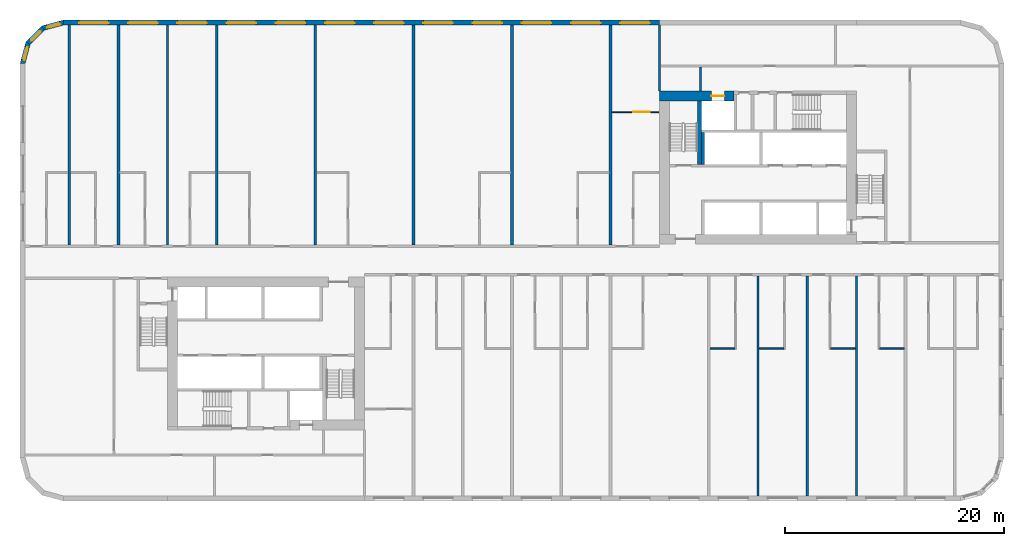
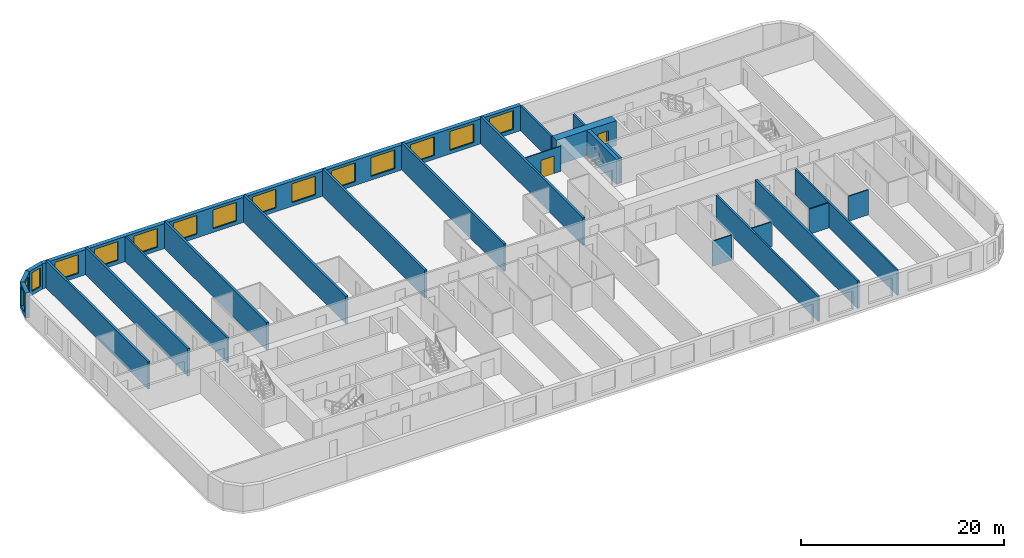
# One storey, part 6 of 12: 25 walls, 15 windows, 2 doors, 17 openings.
"""IFC4 building model written with IfcOpenShell, lengths in metres."""

import ifcopenshell
import ifcopenshell.guid

model = None  # the IFC model being written
_history = None  # IfcOwnerHistory: only IFC2X3 demands one
_inside = {}  # id of a spatial element -> (the spatial element, [elements in it])
_under = {}  # id of a project, library or spatial element -> (it, [spatial elements below it])
_declared = {}  # id of a project -> (the project, [libraries it declares])
_typed = {}  # id of a type object -> (the type object, [elements of that type])
_made_of = {}  # id of a material, layer set ... -> (it, [elements and type objects made of it])


def new_model(schema):
    """Start an empty IFC model of exactly this schema.

    Asked for "IFC4X3", IfcOpenShell would pick the latest addendum, in which some entities
    have other attributes; the version numbers below select the first issue.
    IFC2X3 requires an IfcOwnerHistory on every rooted entity: one is made here for all.
    """
    global model, _history
    if schema == "IFC4X3":
        model = ifcopenshell.file(schema_version=(4, 3, 0, 0))
    else:
        model = ifcopenshell.file(schema=schema)
    _inside.clear()
    _under.clear()
    _declared.clear()
    _typed.clear()
    _made_of.clear()
    _history = None
    if model.schema == "IFC2X3":
        org = make("IfcOrganization", Name="unknown")
        user = make(
            "IfcPersonAndOrganization",
            ThePerson=make("IfcPerson", FamilyName="unknown"),
            TheOrganization=org,
        )
        app = make(
            "IfcApplication",
            ApplicationDeveloper=org,
            Version="unknown",
            ApplicationFullName="unknown",
            ApplicationIdentifier="unknown",
        )
        _history = make(
            "IfcOwnerHistory",
            OwningUser=user,
            OwningApplication=app,
            ChangeAction="ADDED",
            CreationDate=0,
        )
    return model


def make(cls, **values):
    """One entity of the class cls with the attributes given. An attribute that is None is left unset."""
    return model.create_entity(
        cls, **{name: value for name, value in values.items() if value is not None}
    )


def rooted(cls, **values):
    """An entity with a GlobalId (a new one), such as an element, a storey or a relation."""
    return make(cls, GlobalId=ifcopenshell.guid.new(), OwnerHistory=_history, **values)


def si_unit(unit_type, name, prefix=None):
    """IfcSIUnit, for example si_unit("LENGTHUNIT", "METRE", prefix="MILLI")."""
    return make("IfcSIUnit", UnitType=unit_type, Prefix=prefix, Name=name)


def assignment(units):
    """IfcUnitAssignment: the units of a project."""
    return None if units is None else make("IfcUnitAssignment", Units=units)


def point(xyz):
    """IfcCartesianPoint."""
    return None if xyz is None else make("IfcCartesianPoint", Coordinates=xyz)


def direction(xyz):
    """IfcDirection."""
    return None if xyz is None else make("IfcDirection", DirectionRatios=xyz)


def frame(location, z_axis=None, x_axis=None):
    """IfcAxis2Placement3D, a coordinate frame: its origin and axes. An axis left out is left unset."""
    return make(
        "IfcAxis2Placement3D",
        Location=point(location),
        Axis=direction(z_axis),
        RefDirection=direction(x_axis),
    )


def frame_2d(location, x_axis=None):
    """IfcAxis2Placement2D, a coordinate frame in the plane: its origin and x axis."""
    return make(
        "IfcAxis2Placement2D", Location=point(location), RefDirection=direction(x_axis)
    )


def origin():
    """The frame at (0, 0, 0) with its axes left unset."""
    return frame((0.0, 0.0, 0.0))


def place(relative_to, where):
    """IfcLocalPlacement: puts the frame where relative to a parent placement (None: the world)."""
    return make(
        "IfcLocalPlacement", PlacementRelTo=relative_to, RelativePlacement=where
    )


def context(
    kind, dimensions, precision=None, world=None, true_north=None, identifier=None
):
    """IfcGeometricRepresentationContext, for example the 3D "Model" context."""
    return make(
        "IfcGeometricRepresentationContext",
        ContextIdentifier=identifier,
        ContextType=kind,
        CoordinateSpaceDimension=dimensions,
        Precision=precision,
        WorldCoordinateSystem=world,
        TrueNorth=true_north,
    )


def subcontext(parent, identifier, kind, view, scale=None):
    """IfcGeometricRepresentationSubContext, for example "Body" below "Model"."""
    return make(
        "IfcGeometricRepresentationSubContext",
        ContextIdentifier=identifier,
        ContextType=kind,
        ParentContext=parent,
        TargetScale=scale,
        TargetView=view,
    )


def project(units=None, contexts=None):
    """IfcProject with its units and contexts."""
    return rooted(
        "IfcProject",
        Name="project",
        RepresentationContexts=contexts,
        UnitsInContext=assignment(units),
    )


def spatial(cls, under=None, at=None, **own):
    """A site, building, storey or space (cls), placed at a placement, below another one or the project."""
    s = rooted(cls, ObjectPlacement=at, **own)
    if under is not None:
        _under.setdefault(under.id(), (under, []))[1].append(s)
    return s


def polyline(points):
    """IfcPolyline through the points."""
    return make("IfcPolyline", Points=[point(p) for p in points])


def profile(cls, at=None, kind="AREA", **sizes):
    """A parametric profile (cls). Its sizes go by their IFC names, for example OverallWidth=200.0."""
    return make(cls, ProfileType=kind, Position=at, **sizes)


def rectangle(**sizes):
    """IfcRectangleProfileDef."""
    return profile("IfcRectangleProfileDef", **sizes)


def outline(outer, holes=None, kind="AREA"):
    """IfcArbitraryClosedProfileDef: a profile drawn as a closed curve; with holes, ...WithVoids."""
    if holes is None:
        return make("IfcArbitraryClosedProfileDef", ProfileType=kind, OuterCurve=outer)
    return make(
        "IfcArbitraryProfileDefWithVoids",
        ProfileType=kind,
        OuterCurve=outer,
        InnerCurves=holes,
    )


def extrude(swept, where, along, depth):
    """IfcExtrudedAreaSolid: the profile swept, set in the frame where, extruded along a direction by depth."""
    return make(
        "IfcExtrudedAreaSolid",
        SweptArea=swept,
        Position=where,
        ExtrudedDirection=direction(along),
        Depth=depth,
    )


def shape(context_of_items, identifier, shape_type, items):
    """IfcShapeRepresentation: the items that make up one representation, for example the "Body"."""
    return make(
        "IfcShapeRepresentation",
        ContextOfItems=context_of_items,
        RepresentationIdentifier=identifier,
        RepresentationType=shape_type,
        Items=items,
    )


def material(Name=None, Category=None):
    """IfcMaterial."""
    return make("IfcMaterial", Name=Name, Category=Category)


def layer(
    of_material, thickness, ventilated=None, Name=None, Category=None, Priority=None
):
    """IfcMaterialLayer: one layer of a wall or slab, of a material (None: an air gap)."""
    return make(
        "IfcMaterialLayer",
        Material=of_material,
        LayerThickness=thickness,
        IsVentilated=ventilated,
        Name=Name,
        Category=Category,
        Priority=Priority,
    )


def layer_set(layers, Name=None):
    """IfcMaterialLayerSet."""
    return make("IfcMaterialLayerSet", MaterialLayers=layers, LayerSetName=Name)


def made_of(thing, what):
    """Note that an element or type object is made of a material, layer set ...; save() writes the relation."""
    if what is not None:
        _made_of.setdefault(what.id(), (what, []))[1].append(thing)
    return thing


def type_object(cls, material=None, **own):
    """A type object (cls), such as IfcWallType, which elements share."""
    return made_of(rooted(cls, **own), material)


def element(
    cls,
    number,
    at=None,
    inside=None,
    cuts=None,
    type_object=None,
    material=None,
    context=None,
    identifier="Body",
    shape_type=None,
    held_by="IfcProductDefinitionShape",
    body=None,
    shapes=None,
    **own,
):
    """One element of the class cls, such as IfcWall. Its Tag is "e" and its number.

    at: its placement. inside: the storey or other place that contains it. cuts: it is an
    opening in that element (IfcRelVoidsElement). A single representation is given by context,
    identifier, shape_type and body (its items); several are given by shapes. held_by: the class
    of the entity that holds the representations. save() writes the other relations.
    """
    e = rooted(cls, Tag="e%d" % number, ObjectPlacement=at, **own)
    if body is not None:
        shapes = [shape(context, identifier, shape_type, body)]
    if shapes is not None:
        e.Representation = make(held_by, Representations=shapes)
    if inside is not None:
        _inside.setdefault(inside.id(), (inside, []))[1].append(e)
    if cuts is not None:
        rooted(
            "IfcRelVoidsElement", RelatingBuildingElement=cuts, RelatedOpeningElement=e
        )
    if type_object is not None:
        _typed.setdefault(type_object.id(), (type_object, []))[1].append(e)
    return made_of(e, material)


def fill(opening, filler):
    """IfcRelFillsElement: the door or window that sits in an opening."""
    return rooted(
        "IfcRelFillsElement",
        RelatingOpeningElement=opening,
        RelatedBuildingElement=filler,
    )


def aggregate(whole, parts):
    """IfcRelAggregates: a whole, such as a stair, and the parts it consists of."""
    return rooted("IfcRelAggregates", RelatingObject=whole, RelatedObjects=parts)


def save(model, path):
    """Write the relations noted so far, then the file.

    IfcRelAggregates (storeys below a building ...), IfcRelContainedInSpatialStructure (elements
    in a storey), IfcRelDefinesByType, IfcRelAssociatesMaterial and IfcRelDeclares: one each for
    every whole, place, type object, material and project.
    """
    for whole, parts in _under.values():
        aggregate(whole, parts)
    for where, things in _inside.values():
        rooted(
            "IfcRelContainedInSpatialStructure",
            RelatedElements=things,
            RelatingStructure=where,
        )
    for kind, things in _typed.values():
        rooted("IfcRelDefinesByType", RelatedObjects=things, RelatingType=kind)
    for what, things in _made_of.values():
        rooted("IfcRelAssociatesMaterial", RelatedObjects=things, RelatingMaterial=what)
    for by, libraries in _declared.values():
        rooted("IfcRelDeclares", RelatingContext=by, RelatedDefinitions=libraries)
    model.write(path)


model = new_model("IFC4")

# Units and contexts
model_context = context("Model", 3, precision=1e-05, world=origin(), true_north=direction((0.0, 1.0)))
body_context = subcontext(model_context, "Body", "Model", "MODEL_VIEW")
ifc_project = project(units=[si_unit("LENGTHUNIT", "METRE"), si_unit("AREAUNIT", "SQUARE_METRE"), si_unit("VOLUMEUNIT", "CUBIC_METRE"), si_unit("PLANEANGLEUNIT", "RADIAN"), si_unit("MASSUNIT", "GRAM", prefix="KILO")], contexts=[model_context])

# Site, building, storey
site_placement = place(None, origin())
site = spatial("IfcSite", under=ifc_project, at=site_placement, CompositionType="ELEMENT")
building_placement = place(site_placement, origin())
building = spatial("IfcBuilding", under=site, at=building_placement, Name="Kajstack Hotel Tower", CompositionType="ELEMENT")
storey_placement = place(building_placement, frame((0.0, 0.0, 86.39990234375)))
storey = spatial("IfcBuildingStorey", under=building, at=storey_placement, Name="L17", CompositionType="ELEMENT", Elevation=86.39990234375)

# Wall, opening, door
ifc_material_1 = material(Name="Concrete C60/75", Category="concrete")
ifc_layer_1 = layer(ifc_material_1, 0.89990234375)
ifc_layer_set_1 = layer_set([ifc_layer_1], Name="Core wall 900")
wall_type_1 = type_object("IfcWallType", Name="Core wall 900", PredefinedType="SHEAR", material=ifc_layer_set_1)
wall_1_placement = place(storey_placement, frame((13.5, 15.050048828125, 0.0), z_axis=(0.0, 0.0, 1.0), x_axis=(1.0, 0.0, 0.0)))
wall_1 = element("IfcWall", 1, at=wall_1_placement, inside=storey, type_object=wall_type_1, Name="Core wall E RS", PredefinedType="SHEAR", context=body_context, shape_type="SweptSolid", body=[
    extrude(rectangle(XDim=6.800048828125, YDim=0.89990234375, at=frame_2d((3.39990234375, 0.0))), origin(), (0.0, 0.0, 1.0), 3.02001953125),
])
opening_1_placement = place(wall_1_placement, frame((4.72509765625, 0.0, 0.0)))
opening_1 = element("IfcOpeningElement", 2, at=opening_1_placement, cuts=wall_1, Name="Opening LD-SV2", PredefinedType="OPENING", context=body_context, shape_type="SweptSolid", body=[
    extrude(rectangle(XDim=1.199951171875, YDim=2.10009765625, at=frame_2d((0.60009765625, 1.050048828125))), frame((0.0, 0.4599609375, 0.0), z_axis=(0.0, -1.0, 0.0), x_axis=(1.0, 0.0, 0.0)), (0.0, 0.0, 1.0), 0.919921875),
])
ifc_material_2 = material(Name="Stainless steel", Category="steel")
door_type_1 = type_object("IfcDoorType", Name="Lift landing door 1200", OperationType="SLIDING_TO_LEFT", PredefinedType="DOOR", material=ifc_material_2)
door_1_placement = place(opening_1_placement, origin())
door_1 = element("IfcDoor", 3, at=door_1_placement, inside=storey, type_object=door_type_1, Name="Landing door SV2", OperationType="SLIDING_TO_LEFT", OverallHeight=2.10009765625, OverallWidth=1.199951171875, PredefinedType="DOOR", context=body_context, shape_type="SweptSolid", body=[
    extrude(rectangle(XDim=1.199951171875, YDim=2.10009765625, at=frame_2d((0.60009765625, 1.050048828125))), frame((0.0, 0.02490234375, 0.0), z_axis=(0.0, -1.0, 0.0), x_axis=(1.0, 0.0, 0.0)), (0.0, 0.0, 1.0), 0.050048828125),
])
fill(opening_1, door_1)

# Walls
ifc_material_3 = material(Name="Twin-frame gypsum board on steel studs, mineral wool", Category="steel")
ifc_layer_2 = layer(ifc_material_3, 0.199951171875)
ifc_layer_set_2 = layer_set([ifc_layer_2], Name="Demising wall 200")
wall_type_2 = type_object("IfcWallType", Name="Demising wall 200", PredefinedType="PARTITIONING", material=ifc_layer_set_2)
wall_2_placement = place(storey_placement, frame((13.5, 15.5, 0.0), z_axis=(0.0, 0.0, 1.0), x_axis=(0.0, 1.0, 0.0)))
element("IfcWall", 4, at=wall_2_placement, inside=storey, type_object=wall_type_2, Name="G-wall-L17-001", PredefinedType="PARTITIONING", context=body_context, shape_type="SweptSolid", body=[
    extrude(rectangle(XDim=6.050048828125, YDim=0.199951171875, at=frame_2d((3.02490234375, 0.0))), origin(), (0.0, 0.0, 1.0), 3.02001953125),
])
for number, where, z_axis, x_axis, name in (
    (5, (-31.5, 1.39990234375, 0.0), (0.0, 0.0, 1.0), (0.0, 1.0, 0.0), "G-wall-L17-008"),
    (6, (22.5, -21.550048828125, 0.0), (0.0, 0.0, 1.0), (0.0, 1.0, 0.0), "G-wall-L17-040"),
    (7, (31.5, -21.550048828125, 0.0), (0.0, 0.0, 1.0), (0.0, 1.0, 0.0), "G-wall-L17-045"),
):
    element("IfcWall", number, at=place(storey_placement, frame(where, z_axis=z_axis, x_axis=x_axis)), inside=storey, type_object=wall_type_2, Name=name, PredefinedType="PARTITIONING", context=body_context, shape_type="SweptSolid", body=[
        extrude(rectangle(XDim=20.150146484375, YDim=0.199951171875, at=frame_2d((10.0751953125, 0.0))), origin(), (0.0, 0.0, 1.0), 3.02001953125),
    ])

# Wall, openings, windows
ifc_material_4 = material(Name="Terracotta-faced brick masonry", Category="masonry")
ifc_layer_3 = layer(ifc_material_4, 0.449951171875)
ifc_layer_set_3 = layer_set([ifc_layer_3], Name="EW-TERRA")
wall_type_3 = type_object("IfcWallType", Name="EW-TERRA", PredefinedType="SOLIDWALL", material=ifc_layer_set_3)
wall_3_placement = place(storey_placement, frame((13.5, 21.77490234375, 0.0), z_axis=(0.0, 0.0, 1.0), x_axis=(-1.0, 0.0, 0.0)))
wall_3 = element("IfcWall", 8, at=wall_3_placement, inside=storey, type_object=wall_type_3, Name="E-wall-L17-11-02", PredefinedType="SOLIDWALL", context=body_context, shape_type="SweptSolid", body=[
    extrude(rectangle(XDim=54.5, YDim=0.449951171875, at=frame_2d((27.25, 0.0))), origin(), (0.0, 0.0, 1.0), 3.02001953125),
])
opening_2_placement = place(wall_3_placement, frame((0.89990234375, 0.0, 0.449951171875)))
opening_2 = element("IfcOpeningElement", 9, at=opening_2_placement, cuts=wall_3, Name="Opening W1", PredefinedType="OPENING", context=body_context, shape_type="SweptSolid", body=[
    extrude(rectangle(XDim=2.699951171875, YDim=2.25, at=frame_2d((1.35009765625, 1.125))), frame((0.0, 0.23486328125, 0.0), z_axis=(0.0, -1.0, 0.0), x_axis=(1.0, 0.0, 0.0)), (0.0, 0.0, 1.0), 0.469970703125),
])
opening_3_placement = place(wall_3_placement, frame((5.39990234375, 0.0, 0.449951171875)))
opening_3 = element("IfcOpeningElement", 10, at=opening_3_placement, cuts=wall_3, Name="Opening W1", PredefinedType="OPENING", context=body_context, shape_type="SweptSolid", body=[
    extrude(rectangle(XDim=2.699951171875, YDim=2.25, at=frame_2d((1.35009765625, 1.125))), frame((0.0, 0.23486328125, 0.0), z_axis=(0.0, -1.0, 0.0), x_axis=(1.0, 0.0, 0.0)), (0.0, 0.0, 1.0), 0.469970703125),
])
opening_4_placement = place(wall_3_placement, frame((9.89990234375, 0.0, 0.449951171875)))
opening_4 = element("IfcOpeningElement", 11, at=opening_4_placement, cuts=wall_3, Name="Opening W1", PredefinedType="OPENING", context=body_context, shape_type="SweptSolid", body=[
    extrude(rectangle(XDim=2.699951171875, YDim=2.25, at=frame_2d((1.35009765625, 1.125))), frame((0.0, 0.23486328125, 0.0), z_axis=(0.0, -1.0, 0.0), x_axis=(1.0, 0.0, 0.0)), (0.0, 0.0, 1.0), 0.469970703125),
])
opening_5_placement = place(wall_3_placement, frame((14.39990234375, 0.0, 0.449951171875)))
opening_5 = element("IfcOpeningElement", 12, at=opening_5_placement, cuts=wall_3, Name="Opening W1", PredefinedType="OPENING", context=body_context, shape_type="SweptSolid", body=[
    extrude(rectangle(XDim=2.699951171875, YDim=2.25, at=frame_2d((1.35009765625, 1.125))), frame((0.0, 0.23486328125, 0.0), z_axis=(0.0, -1.0, 0.0), x_axis=(1.0, 0.0, 0.0)), (0.0, 0.0, 1.0), 0.469970703125),
])
opening_6_placement = place(wall_3_placement, frame((18.89990234375, 0.0, 0.449951171875)))
opening_6 = element("IfcOpeningElement", 13, at=opening_6_placement, cuts=wall_3, Name="Opening W1", PredefinedType="OPENING", context=body_context, shape_type="SweptSolid", body=[
    extrude(rectangle(XDim=2.699951171875, YDim=2.25, at=frame_2d((1.35009765625, 1.125))), frame((0.0, 0.23486328125, 0.0), z_axis=(0.0, -1.0, 0.0), x_axis=(1.0, 0.0, 0.0)), (0.0, 0.0, 1.0), 0.469970703125),
])
opening_7_placement = place(wall_3_placement, frame((23.39990234375, 0.0, 0.449951171875)))
opening_7 = element("IfcOpeningElement", 14, at=opening_7_placement, cuts=wall_3, Name="Opening W1", PredefinedType="OPENING", context=body_context, shape_type="SweptSolid", body=[
    extrude(rectangle(XDim=2.699951171875, YDim=2.25, at=frame_2d((1.35009765625, 1.125))), frame((0.0, 0.23486328125, 0.0), z_axis=(0.0, -1.0, 0.0), x_axis=(1.0, 0.0, 0.0)), (0.0, 0.0, 1.0), 0.469970703125),
])
opening_8_placement = place(wall_3_placement, frame((27.89990234375, 0.0, 0.449951171875)))
opening_8 = element("IfcOpeningElement", 15, at=opening_8_placement, cuts=wall_3, Name="Opening W1", PredefinedType="OPENING", context=body_context, shape_type="SweptSolid", body=[
    extrude(rectangle(XDim=2.699951171875, YDim=2.25, at=frame_2d((1.35009765625, 1.125))), frame((0.0, 0.23486328125, 0.0), z_axis=(0.0, -1.0, 0.0), x_axis=(1.0, 0.0, 0.0)), (0.0, 0.0, 1.0), 0.469970703125),
])
opening_9_placement = place(wall_3_placement, frame((32.39990234375, 0.0, 0.449951171875)))
opening_9 = element("IfcOpeningElement", 16, at=opening_9_placement, cuts=wall_3, Name="Opening W1", PredefinedType="OPENING", context=body_context, shape_type="SweptSolid", body=[
    extrude(rectangle(XDim=2.699951171875, YDim=2.25, at=frame_2d((1.35009765625, 1.125))), frame((0.0, 0.23486328125, 0.0), z_axis=(0.0, -1.0, 0.0), x_axis=(1.0, 0.0, 0.0)), (0.0, 0.0, 1.0), 0.469970703125),
])
opening_10_placement = place(wall_3_placement, frame((36.89990234375, 0.0, 0.449951171875)))
opening_10 = element("IfcOpeningElement", 17, at=opening_10_placement, cuts=wall_3, Name="Opening W1", PredefinedType="OPENING", context=body_context, shape_type="SweptSolid", body=[
    extrude(rectangle(XDim=2.699951171875, YDim=2.25, at=frame_2d((1.35009765625, 1.125))), frame((0.0, 0.23486328125, 0.0), z_axis=(0.0, -1.0, 0.0), x_axis=(1.0, 0.0, 0.0)), (0.0, 0.0, 1.0), 0.469970703125),
])
opening_11_placement = place(wall_3_placement, frame((41.39990234375, 0.0, 0.449951171875)))
opening_11 = element("IfcOpeningElement", 18, at=opening_11_placement, cuts=wall_3, Name="Opening W1", PredefinedType="OPENING", context=body_context, shape_type="SweptSolid", body=[
    extrude(rectangle(XDim=2.699951171875, YDim=2.25, at=frame_2d((1.35009765625, 1.125))), frame((0.0, 0.23486328125, 0.0), z_axis=(0.0, -1.0, 0.0), x_axis=(1.0, 0.0, 0.0)), (0.0, 0.0, 1.0), 0.469970703125),
])
opening_12_placement = place(wall_3_placement, frame((45.89990234375, 0.0, 0.449951171875)))
opening_12 = element("IfcOpeningElement", 19, at=opening_12_placement, cuts=wall_3, Name="Opening W1", PredefinedType="OPENING", context=body_context, shape_type="SweptSolid", body=[
    extrude(rectangle(XDim=2.699951171875, YDim=2.25, at=frame_2d((1.35009765625, 1.125))), frame((0.0, 0.23486328125, 0.0), z_axis=(0.0, -1.0, 0.0), x_axis=(1.0, 0.0, 0.0)), (0.0, 0.0, 1.0), 0.469970703125),
])
opening_13_placement = place(wall_3_placement, frame((50.39990234375, 0.0, 0.449951171875)))
opening_13 = element("IfcOpeningElement", 20, at=opening_13_placement, cuts=wall_3, Name="Opening W1", PredefinedType="OPENING", context=body_context, shape_type="SweptSolid", body=[
    extrude(rectangle(XDim=2.699951171875, YDim=2.25, at=frame_2d((1.35009765625, 1.125))), frame((0.0, 0.23486328125, 0.0), z_axis=(0.0, -1.0, 0.0), x_axis=(1.0, 0.0, 0.0)), (0.0, 0.0, 1.0), 0.469970703125),
])
ifc_material_5 = material(Name="Timber-aluminium window, triple glazed", Category="wood")
window_type_1 = type_object("IfcWindowType", Name="WG1", PartitioningType="SINGLE_PANEL", PredefinedType="WINDOW", material=ifc_material_5)
window_1_placement = place(opening_2_placement, origin())
window_1 = element("IfcWindow", 21, at=window_1_placement, inside=storey, type_object=window_type_1, Name="Window W1 L17-11", OverallHeight=2.25, OverallWidth=2.699951171875, PartitioningType="SINGLE_PANEL", PredefinedType="WINDOW", context=body_context, shape_type="SweptSolid", body=[
    extrude(rectangle(XDim=2.699951171875, YDim=2.25, at=frame_2d((1.35009765625, 1.125))), frame((0.0, 0.090087890625, 0.0), z_axis=(0.0, -1.0, 0.0), x_axis=(1.0, 0.0, 0.0)), (0.0, 0.0, 1.0), 0.06005859375),
])
fill(opening_2, window_1)
window_2_placement = place(opening_3_placement, origin())
window_2 = element("IfcWindow", 22, at=window_2_placement, inside=storey, type_object=window_type_1, Name="Window W1 L17-11", OverallHeight=2.25, OverallWidth=2.699951171875, PartitioningType="SINGLE_PANEL", PredefinedType="WINDOW", context=body_context, shape_type="SweptSolid", body=[
    extrude(rectangle(XDim=2.699951171875, YDim=2.25, at=frame_2d((1.35009765625, 1.125))), frame((0.0, 0.090087890625, 0.0), z_axis=(0.0, -1.0, 0.0), x_axis=(1.0, 0.0, 0.0)), (0.0, 0.0, 1.0), 0.06005859375),
])
fill(opening_3, window_2)
window_3_placement = place(opening_4_placement, origin())
window_3 = element("IfcWindow", 23, at=window_3_placement, inside=storey, type_object=window_type_1, Name="Window W1 L17-11", OverallHeight=2.25, OverallWidth=2.699951171875, PartitioningType="SINGLE_PANEL", PredefinedType="WINDOW", context=body_context, shape_type="SweptSolid", body=[
    extrude(rectangle(XDim=2.699951171875, YDim=2.25, at=frame_2d((1.35009765625, 1.125))), frame((0.0, 0.090087890625, 0.0), z_axis=(0.0, -1.0, 0.0), x_axis=(1.0, 0.0, 0.0)), (0.0, 0.0, 1.0), 0.06005859375),
])
fill(opening_4, window_3)
window_4_placement = place(opening_5_placement, origin())
window_4 = element("IfcWindow", 24, at=window_4_placement, inside=storey, type_object=window_type_1, Name="Window W1 L17-11", OverallHeight=2.25, OverallWidth=2.699951171875, PartitioningType="SINGLE_PANEL", PredefinedType="WINDOW", context=body_context, shape_type="SweptSolid", body=[
    extrude(rectangle(XDim=2.699951171875, YDim=2.25, at=frame_2d((1.35009765625, 1.125))), frame((0.0, 0.090087890625, 0.0), z_axis=(0.0, -1.0, 0.0), x_axis=(1.0, 0.0, 0.0)), (0.0, 0.0, 1.0), 0.06005859375),
])
fill(opening_5, window_4)
window_5_placement = place(opening_6_placement, origin())
window_5 = element("IfcWindow", 25, at=window_5_placement, inside=storey, type_object=window_type_1, Name="Window W1 L17-11", OverallHeight=2.25, OverallWidth=2.699951171875, PartitioningType="SINGLE_PANEL", PredefinedType="WINDOW", context=body_context, shape_type="SweptSolid", body=[
    extrude(rectangle(XDim=2.699951171875, YDim=2.25, at=frame_2d((1.35009765625, 1.125))), frame((0.0, 0.090087890625, 0.0), z_axis=(0.0, -1.0, 0.0), x_axis=(1.0, 0.0, 0.0)), (0.0, 0.0, 1.0), 0.06005859375),
])
fill(opening_6, window_5)
window_6_placement = place(opening_7_placement, origin())
window_6 = element("IfcWindow", 26, at=window_6_placement, inside=storey, type_object=window_type_1, Name="Window W1 L17-11", OverallHeight=2.25, OverallWidth=2.699951171875, PartitioningType="SINGLE_PANEL", PredefinedType="WINDOW", context=body_context, shape_type="SweptSolid", body=[
    extrude(rectangle(XDim=2.699951171875, YDim=2.25, at=frame_2d((1.35009765625, 1.125))), frame((0.0, 0.090087890625, 0.0), z_axis=(0.0, -1.0, 0.0), x_axis=(1.0, 0.0, 0.0)), (0.0, 0.0, 1.0), 0.06005859375),
])
fill(opening_7, window_6)
window_7_placement = place(opening_8_placement, origin())
window_7 = element("IfcWindow", 27, at=window_7_placement, inside=storey, type_object=window_type_1, Name="Window W1 L17-11", OverallHeight=2.25, OverallWidth=2.699951171875, PartitioningType="SINGLE_PANEL", PredefinedType="WINDOW", context=body_context, shape_type="SweptSolid", body=[
    extrude(rectangle(XDim=2.699951171875, YDim=2.25, at=frame_2d((1.35009765625, 1.125))), frame((0.0, 0.090087890625, 0.0), z_axis=(0.0, -1.0, 0.0), x_axis=(1.0, 0.0, 0.0)), (0.0, 0.0, 1.0), 0.06005859375),
])
fill(opening_8, window_7)
window_8_placement = place(opening_9_placement, origin())
window_8 = element("IfcWindow", 28, at=window_8_placement, inside=storey, type_object=window_type_1, Name="Window W1 L17-11", OverallHeight=2.25, OverallWidth=2.699951171875, PartitioningType="SINGLE_PANEL", PredefinedType="WINDOW", context=body_context, shape_type="SweptSolid", body=[
    extrude(rectangle(XDim=2.699951171875, YDim=2.25, at=frame_2d((1.35009765625, 1.125))), frame((0.0, 0.090087890625, 0.0), z_axis=(0.0, -1.0, 0.0), x_axis=(1.0, 0.0, 0.0)), (0.0, 0.0, 1.0), 0.06005859375),
])
fill(opening_9, window_8)
window_9_placement = place(opening_10_placement, origin())
window_9 = element("IfcWindow", 29, at=window_9_placement, inside=storey, type_object=window_type_1, Name="Window W1 L17-11", OverallHeight=2.25, OverallWidth=2.699951171875, PartitioningType="SINGLE_PANEL", PredefinedType="WINDOW", context=body_context, shape_type="SweptSolid", body=[
    extrude(rectangle(XDim=2.699951171875, YDim=2.25, at=frame_2d((1.35009765625, 1.125))), frame((0.0, 0.090087890625, 0.0), z_axis=(0.0, -1.0, 0.0), x_axis=(1.0, 0.0, 0.0)), (0.0, 0.0, 1.0), 0.06005859375),
])
fill(opening_10, window_9)
window_10_placement = place(opening_11_placement, origin())
window_10 = element("IfcWindow", 30, at=window_10_placement, inside=storey, type_object=window_type_1, Name="Window W1 L17-11", OverallHeight=2.25, OverallWidth=2.699951171875, PartitioningType="SINGLE_PANEL", PredefinedType="WINDOW", context=body_context, shape_type="SweptSolid", body=[
    extrude(rectangle(XDim=2.699951171875, YDim=2.25, at=frame_2d((1.35009765625, 1.125))), frame((0.0, 0.090087890625, 0.0), z_axis=(0.0, -1.0, 0.0), x_axis=(1.0, 0.0, 0.0)), (0.0, 0.0, 1.0), 0.06005859375),
])
fill(opening_11, window_10)
window_11_placement = place(opening_12_placement, origin())
window_11 = element("IfcWindow", 31, at=window_11_placement, inside=storey, type_object=window_type_1, Name="Window W1 L17-11", OverallHeight=2.25, OverallWidth=2.699951171875, PartitioningType="SINGLE_PANEL", PredefinedType="WINDOW", context=body_context, shape_type="SweptSolid", body=[
    extrude(rectangle(XDim=2.699951171875, YDim=2.25, at=frame_2d((1.35009765625, 1.125))), frame((0.0, 0.090087890625, 0.0), z_axis=(0.0, -1.0, 0.0), x_axis=(1.0, 0.0, 0.0)), (0.0, 0.0, 1.0), 0.06005859375),
])
fill(opening_12, window_11)
window_12_placement = place(opening_13_placement, origin())
window_12 = element("IfcWindow", 32, at=window_12_placement, inside=storey, type_object=window_type_1, Name="Window W1 L17-11", OverallHeight=2.25, OverallWidth=2.699951171875, PartitioningType="SINGLE_PANEL", PredefinedType="WINDOW", context=body_context, shape_type="SweptSolid", body=[
    extrude(rectangle(XDim=2.699951171875, YDim=2.25, at=frame_2d((1.35009765625, 1.125))), frame((0.0, 0.090087890625, 0.0), z_axis=(0.0, -1.0, 0.0), x_axis=(1.0, 0.0, 0.0)), (0.0, 0.0, 1.0), 0.06005859375),
])
fill(opening_13, window_12)

# Wall, opening, window
wall_4_placement = place(storey_placement, frame((-40.941650390625, 21.78271484375, 0.0), z_axis=(0.0, 0.0, 1.0), x_axis=(-0.965926999034, -0.25881466832, 0.0)))
wall_4 = element("IfcWall", 33, at=wall_4_placement, inside=storey, type_object=wall_type_3, Name="E-wall-L17-12-00", PredefinedType="SOLIDWALL", context=body_context, shape_type="SweptSolid", body=[
    extrude(outline(polyline([(0.000244140625, -0.22509765625), (2.070556640625, -0.224853515625), (1.9501953125, 0.22509765625), (0.12060546875, 0.22509765625), (0.000244140625, -0.22509765625)])), origin(), (0.0, 0.0, 1.0), 3.02001953125),
])
opening_14_placement = place(wall_4_placement, frame((0.435302734375, 0.0, 0.449951171875)))
opening_14 = element("IfcOpeningElement", 34, at=opening_14_placement, cuts=wall_4, Name="Opening W3", PredefinedType="OPENING", context=body_context, shape_type="SweptSolid", body=[
    extrude(rectangle(XDim=1.199951171875, YDim=2.25, at=frame_2d((0.60009765625, 1.125))), frame((0.0, 0.23486328125, 0.0), z_axis=(0.0, -1.0, 0.0), x_axis=(1.0, 0.0, 0.0)), (0.0, 0.0, 1.0), 0.469970703125),
])
window_type_2 = type_object("IfcWindowType", Name="WG3", PartitioningType="SINGLE_PANEL", PredefinedType="WINDOW", material=ifc_material_5)
window_13_placement = place(opening_14_placement, origin())
window_13 = element("IfcWindow", 35, at=window_13_placement, inside=storey, type_object=window_type_2, Name="Window W3 L17-12", OverallHeight=2.25, OverallWidth=1.199951171875, PartitioningType="SINGLE_PANEL", PredefinedType="WINDOW", context=body_context, shape_type="SweptSolid", body=[
    extrude(rectangle(XDim=1.199951171875, YDim=2.25, at=frame_2d((0.60009765625, 1.125))), frame((0.0, 0.090087890625, 0.0), z_axis=(0.0, -1.0, 0.0), x_axis=(1.0, 0.0, 0.0)), (0.0, 0.0, 1.0), 0.06005859375),
])
fill(opening_14, window_13)

wall_5_placement = place(storey_placement, frame((-42.8408203125, 21.304931640625, 0.0), z_axis=(0.0, 0.0, 1.0), x_axis=(-0.707106781187, -0.707106781187, 0.0)))
wall_5 = element("IfcWall", 36, at=wall_5_placement, inside=storey, type_object=wall_type_3, Name="E-wall-L17-13-00", PredefinedType="SOLIDWALL", context=body_context, shape_type="SweptSolid", body=[
    extrude(outline(polyline([(0.0, -0.22509765625), (2.070556640625, -0.22509765625), (1.949951171875, 0.224853515625), (0.12060546875, 0.224853515625), (0.0, -0.22509765625)])), origin(), (0.0, 0.0, 1.0), 3.02001953125),
])
opening_15_placement = place(wall_5_placement, frame((0.435302734375, 0.0, 0.449951171875)))
opening_15 = element("IfcOpeningElement", 37, at=opening_15_placement, cuts=wall_5, Name="Opening W3", PredefinedType="OPENING", context=body_context, shape_type="SweptSolid", body=[
    extrude(rectangle(XDim=1.199951171875, YDim=2.25, at=frame_2d((0.60009765625, 1.125))), frame((0.0, 0.23486328125, 0.0), z_axis=(0.0, -1.0, 0.0), x_axis=(1.0, 0.0, 0.0)), (0.0, 0.0, 1.0), 0.469970703125),
])
window_14_placement = place(opening_15_placement, origin())
window_14 = element("IfcWindow", 38, at=window_14_placement, inside=storey, type_object=window_type_2, Name="Window W3 L17-13", OverallHeight=2.25, OverallWidth=1.199951171875, PartitioningType="SINGLE_PANEL", PredefinedType="WINDOW", context=body_context, shape_type="SweptSolid", body=[
    extrude(rectangle(XDim=1.199951171875, YDim=2.25, at=frame_2d((0.60009765625, 1.125))), frame((0.0, 0.090087890625, 0.0), z_axis=(0.0, -1.0, 0.0), x_axis=(1.0, 0.0, 0.0)), (0.0, 0.0, 1.0), 0.06005859375),
])
fill(opening_15, window_14)

wall_6_placement = place(storey_placement, frame((-44.246826171875, 19.941650390625, 0.0), z_axis=(0.0, 0.0, 1.0), x_axis=(-0.25881466832, -0.965926999034, 0.0)))
wall_6 = element("IfcWall", 39, at=wall_6_placement, inside=storey, type_object=wall_type_3, Name="E-wall-L17-14-00", PredefinedType="SOLIDWALL", context=body_context, shape_type="SweptSolid", body=[
    extrude(outline(polyline([(-0.000244140625, -0.224853515625), (2.0703125, -0.22509765625), (1.949951171875, 0.22509765625), (0.120361328125, 0.22509765625), (-0.000244140625, -0.224853515625)])), origin(), (0.0, 0.0, 1.0), 3.02001953125),
])
opening_16_placement = place(wall_6_placement, frame((0.435302734375, 0.0, 0.449951171875)))
opening_16 = element("IfcOpeningElement", 40, at=opening_16_placement, cuts=wall_6, Name="Opening W3", PredefinedType="OPENING", context=body_context, shape_type="SweptSolid", body=[
    extrude(rectangle(XDim=1.199951171875, YDim=2.25, at=frame_2d((0.60009765625, 1.125))), frame((0.0, 0.23486328125, 0.0), z_axis=(0.0, -1.0, 0.0), x_axis=(1.0, 0.0, 0.0)), (0.0, 0.0, 1.0), 0.469970703125),
])
window_15_placement = place(opening_16_placement, origin())
window_15 = element("IfcWindow", 41, at=window_15_placement, inside=storey, type_object=window_type_2, Name="Window W3 L17-14", OverallHeight=2.25, OverallWidth=1.199951171875, PartitioningType="SINGLE_PANEL", PredefinedType="WINDOW", context=body_context, shape_type="SweptSolid", body=[
    extrude(rectangle(XDim=1.199951171875, YDim=2.25, at=frame_2d((0.60009765625, 1.125))), frame((0.0, 0.090087890625, 0.0), z_axis=(0.0, -1.0, 0.0), x_axis=(1.0, 0.0, 0.0)), (0.0, 0.0, 1.0), 0.06005859375),
])
fill(opening_16, window_15)

# Walls
ifc_material_6 = material(Name="Gypsum board and tiled backer on steel studs", Category="steel")
ifc_layer_4 = layer(ifc_material_6, 0.125)
ifc_layer_set_4 = layer_set([ifc_layer_4], Name="En-suite wall 125")
wall_type_4 = type_object("IfcWallType", Name="En-suite wall 125", PredefinedType="PARTITIONING", material=ifc_layer_set_4)
for number, where, z_axis, x_axis, name in (
    (42, (18.125, -8.06201171875, 0.0), (0.0, 0.0, 1.0), (1.0, 0.0, 0.0), "G-wall-L17-042"),
    (43, (22.60009765625, -8.06201171875, 0.0), (0.0, 0.0, 1.0), (1.0, 0.0, 0.0), "G-wall-L17-044"),
    (44, (29.14990234375, -8.06201171875, 0.0), (0.0, 0.0, 1.0), (1.0, 0.0, 0.0), "G-wall-L17-047"),
    (45, (33.625, -8.06201171875, 0.0), (0.0, 0.0, 1.0), (1.0, 0.0, 0.0), "G-wall-L17-049"),
):
    element("IfcWall", number, at=place(storey_placement, frame(where, z_axis=z_axis, x_axis=x_axis)), inside=storey, type_object=wall_type_4, Name=name, PredefinedType="PARTITIONING", context=body_context, shape_type="SweptSolid", body=[
        extrude(rectangle(XDim=2.25, YDim=0.125, at=frame_2d((1.125, 0.0))), origin(), (0.0, 0.0, 1.0), 3.02001953125),
    ])

# Wall, opening, door
ifc_material_7 = material(Name="Gypsum board on steel studs", Category="steel")
ifc_layer_5 = layer(ifc_material_7, 0.10009765625)
ifc_layer_set_5 = layer_set([ifc_layer_5], Name="Partition 100")
wall_type_5 = type_object("IfcWallType", Name="Partition 100", PredefinedType="PARTITIONING", material=ifc_layer_set_5)
wall_7_placement = place(storey_placement, frame((9.125, 13.574951171875, 0.0), z_axis=(0.0, 0.0, 1.0), x_axis=(1.0, 0.0, 0.0)))
wall_7 = element("IfcWall", 46, at=wall_7_placement, inside=storey, type_object=wall_type_5, Name="G-wall-L17-023", PredefinedType="PARTITIONING", context=body_context, shape_type="SweptSolid", body=[
    extrude(rectangle(XDim=4.27490234375, YDim=0.10009765625, at=frame_2d((2.137451171875, 0.0))), origin(), (0.0, 0.0, 1.0), 3.02001953125),
])
opening_17_placement = place(wall_7_placement, frame((1.987060546875, 0.0, 0.0)))
opening_17 = element("IfcOpeningElement", 47, at=opening_17_placement, cuts=wall_7, Name="Opening 17019", PredefinedType="OPENING", context=body_context, shape_type="SweptSolid", body=[
    extrude(rectangle(XDim=1.5, YDim=2.10009765625, at=frame_2d((0.75, 1.050048828125))), frame((0.0, 0.06005859375, 0.0), z_axis=(0.0, -1.0, 0.0), x_axis=(1.0, 0.0, 0.0)), (0.0, 0.0, 1.0), 0.1201171875),
])
ifc_material_8 = material(Name="Painted timber door leaves, glazed panels", Category="wood")
door_type_2 = type_object("IfcDoorType", Name="Double door 1500", OperationType="SINGLE_SWING_LEFT", PredefinedType="DOOR", material=ifc_material_8)
door_2_placement = place(opening_17_placement, origin())
door_2 = element("IfcDoor", 48, at=door_2_placement, inside=storey, type_object=door_type_2, Name="G-door-L17-19", OperationType="SINGLE_SWING_RIGHT", OverallHeight=2.10009765625, OverallWidth=1.5, PredefinedType="DOOR", context=body_context, shape_type="SweptSolid", body=[
    extrude(rectangle(XDim=1.5, YDim=2.10009765625, at=frame_2d((0.75, 1.050048828125))), frame((0.0, 0.02490234375, 0.0), z_axis=(0.0, -1.0, 0.0), x_axis=(1.0, 0.0, 0.0)), (0.0, 0.0, 1.0), 0.050048828125),
])
fill(opening_17, door_2)

# Walls
ifc_layer_6 = layer(ifc_material_1, 0.25)
ifc_layer_set_6 = layer_set([ifc_layer_6], Name="RC cross wall 250 C60/75")
wall_type_6 = type_object("IfcWallType", Name="RC cross wall 250 C60/75", PredefinedType="SHEAR", material=ifc_layer_set_6)
for number, where, z_axis, x_axis, name in (
    (49, (-40.5, 1.39990234375, 0.0), (0.0, 0.0, 1.0), (0.0, 1.0, 0.0), "S-wall-L17-01"),
    (50, (-36.0, 1.39990234375, 0.0), (0.0, 0.0, 1.0), (0.0, 1.0, 0.0), "S-wall-L17-02"),
    (51, (-27.0, 1.39990234375, 0.0), (0.0, 0.0, 1.0), (0.0, 1.0, 0.0), "S-wall-L17-03"),
    (52, (-18.0, 1.39990234375, 0.0), (0.0, 0.0, 1.0), (0.0, 1.0, 0.0), "S-wall-L17-04"),
    (53, (-9.0, 1.39990234375, 0.0), (0.0, 0.0, 1.0), (0.0, 1.0, 0.0), "S-wall-L17-06"),
    (54, (0.0, 1.39990234375, 0.0), (0.0, 0.0, 1.0), (0.0, 1.0, 0.0), "S-wall-L17-08"),
    (55, (9.0, 1.39990234375, 0.0), (0.0, 0.0, 1.0), (0.0, 1.0, 0.0), "S-wall-L17-10"),
    (56, (27.0, -21.5400390625, 0.0), (0.0, 0.0, 1.0), (0.0, 1.0, 0.0), "S-wall-L17-12"),
):
    element("IfcWall", number, at=place(storey_placement, frame(where, z_axis=z_axis, x_axis=x_axis)), inside=storey, type_object=wall_type_6, Name=name, PredefinedType="SHEAR", context=body_context, shape_type="SweptSolid", body=[
        extrude(rectangle(XDim=20.14013671875, YDim=0.25, at=frame_2d((10.070068359375, 0.0))), origin(), (0.0, 0.0, 1.0), 3.300048828125),
    ])
ifc_material_9 = material(Name="Gypsum board on steel studs, mineral wool", Category="steel")
ifc_layer_7 = layer(ifc_material_9, 0.199951171875)
ifc_layer_set_7 = layer_set([ifc_layer_7], Name="Service partition 200")
wall_type_7 = type_object("IfcWallType", Name="Service partition 200", PredefinedType="PARTITIONING", material=ifc_layer_set_7)
wall_8_placement = place(storey_placement, frame((17.25, 15.5, 0.0), z_axis=(0.0, 0.0, 1.0), x_axis=(0.0, 1.0, 0.0)))
element("IfcWall", 57, at=wall_8_placement, inside=storey, type_object=wall_type_7, Name="Partition E SCE", PredefinedType="PARTITIONING", context=body_context, shape_type="SweptSolid", body=[
    extrude(rectangle(XDim=2.199951171875, YDim=0.199951171875, at=frame_2d((1.10009765625, 0.0))), origin(), (0.0, 0.0, 1.0), 3.02001953125),
])
ifc_material_10 = material(Name="Concrete C50/60", Category="concrete")
ifc_layer_8 = layer(ifc_material_10, 0.25)
ifc_layer_set_8 = layer_set([ifc_layer_8], Name="Shaft wall 250")
wall_type_8 = type_object("IfcWallType", Name="Shaft wall 250", PredefinedType="SHEAR", material=ifc_layer_set_8)
wall_9_placement = place(storey_placement, frame((17.47509765625, 8.800048828125, 0.0), z_axis=(0.0, 0.0, 1.0), x_axis=(0.0, 1.0, 0.0)))
element("IfcWall", 58, at=wall_9_placement, inside=storey, type_object=wall_type_8, Name="Core wall E BE", PredefinedType="SHEAR", context=body_context, shape_type="SweptSolid", body=[
    extrude(rectangle(XDim=2.89990234375, YDim=0.25, at=frame_2d((1.449951171875, 0.0))), origin(), (0.0, 0.0, 1.0), 3.02001953125),
])
ifc_layer_9 = layer(ifc_material_10, 0.39990234375)
ifc_layer_set_9 = layer_set([ifc_layer_9], Name="Stair wall 400")
wall_type_9 = type_object("IfcWallType", Name="Stair wall 400", PredefinedType="SHEAR", material=ifc_layer_set_9)
wall_10_placement = place(storey_placement, frame((17.14990234375, 8.800048828125, 0.0), z_axis=(0.0, 0.0, 1.0), x_axis=(0.0, 1.0, 0.0)))
element("IfcWall", 59, at=wall_10_placement, inside=storey, type_object=wall_type_9, Name="Core wall E WW2", PredefinedType="SHEAR", context=body_context, shape_type="SweptSolid", body=[
    extrude(rectangle(XDim=5.800048828125, YDim=0.39990234375, at=frame_2d((2.89990234375, 0.0))), origin(), (0.0, 0.0, 1.0), 3.02001953125),
])

save(model, "model.ifc")
